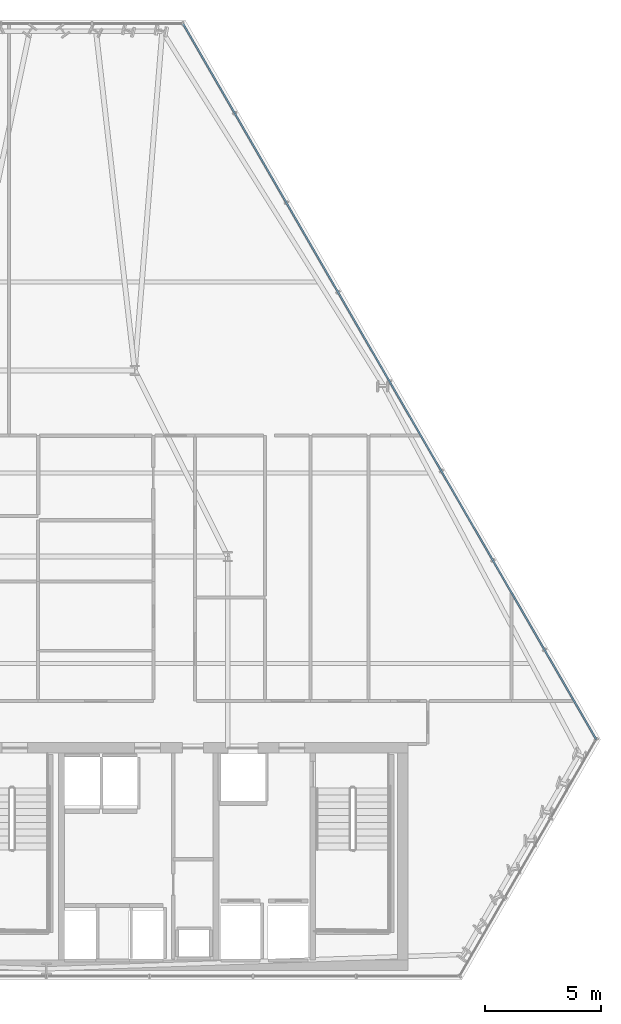
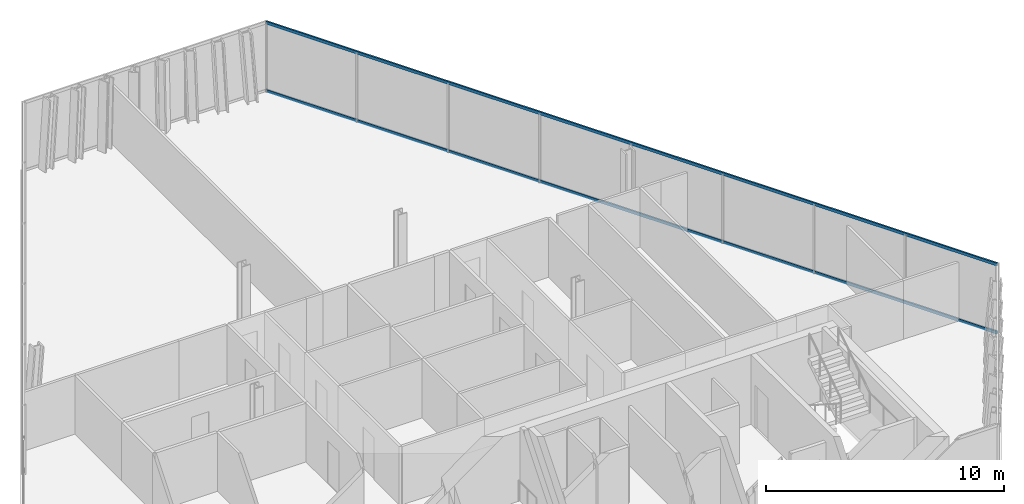
# One storey, part 18 of 31: 2 members, 1 element without a shape of its own.
"""IFC4 building model written with IfcOpenShell, lengths in metres."""

import ifcopenshell
import ifcopenshell.guid

model = None  # the IFC model being written
_history = None  # IfcOwnerHistory: only IFC2X3 demands one
_inside = {}  # id of a spatial element -> (the spatial element, [elements in it])
_under = {}  # id of a project, library or spatial element -> (it, [spatial elements below it])
_declared = {}  # id of a project -> (the project, [libraries it declares])
_typed = {}  # id of a type object -> (the type object, [elements of that type])
_made_of = {}  # id of a material, layer set ... -> (it, [elements and type objects made of it])


def new_model(schema):
    """Start an empty IFC model of exactly this schema.

    Asked for "IFC4X3", IfcOpenShell would pick the latest addendum, in which some entities
    have other attributes; the version numbers below select the first issue.
    IFC2X3 requires an IfcOwnerHistory on every rooted entity: one is made here for all.
    """
    global model, _history
    if schema == "IFC4X3":
        model = ifcopenshell.file(schema_version=(4, 3, 0, 0))
    else:
        model = ifcopenshell.file(schema=schema)
    _inside.clear()
    _under.clear()
    _declared.clear()
    _typed.clear()
    _made_of.clear()
    _history = None
    if model.schema == "IFC2X3":
        org = make("IfcOrganization", Name="unknown")
        user = make(
            "IfcPersonAndOrganization",
            ThePerson=make("IfcPerson", FamilyName="unknown"),
            TheOrganization=org,
        )
        app = make(
            "IfcApplication",
            ApplicationDeveloper=org,
            Version="unknown",
            ApplicationFullName="unknown",
            ApplicationIdentifier="unknown",
        )
        _history = make(
            "IfcOwnerHistory",
            OwningUser=user,
            OwningApplication=app,
            ChangeAction="ADDED",
            CreationDate=0,
        )
    return model


def make(cls, **values):
    """One entity of the class cls with the attributes given. An attribute that is None is left unset."""
    return model.create_entity(
        cls, **{name: value for name, value in values.items() if value is not None}
    )


def rooted(cls, **values):
    """An entity with a GlobalId (a new one), such as an element, a storey or a relation."""
    return make(cls, GlobalId=ifcopenshell.guid.new(), OwnerHistory=_history, **values)


def si_unit(unit_type, name, prefix=None):
    """IfcSIUnit, for example si_unit("LENGTHUNIT", "METRE", prefix="MILLI")."""
    return make("IfcSIUnit", UnitType=unit_type, Prefix=prefix, Name=name)


def assignment(units):
    """IfcUnitAssignment: the units of a project."""
    return None if units is None else make("IfcUnitAssignment", Units=units)


def point(xyz):
    """IfcCartesianPoint."""
    return None if xyz is None else make("IfcCartesianPoint", Coordinates=xyz)


def direction(xyz):
    """IfcDirection."""
    return None if xyz is None else make("IfcDirection", DirectionRatios=xyz)


def frame(location, z_axis=None, x_axis=None):
    """IfcAxis2Placement3D, a coordinate frame: its origin and axes. An axis left out is left unset."""
    return make(
        "IfcAxis2Placement3D",
        Location=point(location),
        Axis=direction(z_axis),
        RefDirection=direction(x_axis),
    )


def frame_2d(location, x_axis=None):
    """IfcAxis2Placement2D, a coordinate frame in the plane: its origin and x axis."""
    return make(
        "IfcAxis2Placement2D", Location=point(location), RefDirection=direction(x_axis)
    )


def origin():
    """The frame at (0, 0, 0) with its axes left unset."""
    return frame((0.0, 0.0, 0.0))


def origin_2d():
    """The frame at (0, 0) in the plane with its x axis left unset."""
    return frame_2d((0.0, 0.0))


def place(relative_to, where):
    """IfcLocalPlacement: puts the frame where relative to a parent placement (None: the world)."""
    return make(
        "IfcLocalPlacement", PlacementRelTo=relative_to, RelativePlacement=where
    )


def context(
    kind, dimensions, precision=None, world=None, true_north=None, identifier=None
):
    """IfcGeometricRepresentationContext, for example the 3D "Model" context."""
    return make(
        "IfcGeometricRepresentationContext",
        ContextIdentifier=identifier,
        ContextType=kind,
        CoordinateSpaceDimension=dimensions,
        Precision=precision,
        WorldCoordinateSystem=world,
        TrueNorth=true_north,
    )


def subcontext(parent, identifier, kind, view, scale=None):
    """IfcGeometricRepresentationSubContext, for example "Body" below "Model"."""
    return make(
        "IfcGeometricRepresentationSubContext",
        ContextIdentifier=identifier,
        ContextType=kind,
        ParentContext=parent,
        TargetScale=scale,
        TargetView=view,
    )


def project(units=None, contexts=None):
    """IfcProject with its units and contexts."""
    return rooted(
        "IfcProject",
        Name="project",
        RepresentationContexts=contexts,
        UnitsInContext=assignment(units),
    )


def spatial(cls, under=None, at=None, **own):
    """A site, building, storey or space (cls), placed at a placement, below another one or the project."""
    s = rooted(cls, ObjectPlacement=at, **own)
    if under is not None:
        _under.setdefault(under.id(), (under, []))[1].append(s)
    return s


def profile(cls, at=None, kind="AREA", **sizes):
    """A parametric profile (cls). Its sizes go by their IFC names, for example OverallWidth=200.0."""
    return make(cls, ProfileType=kind, Position=at, **sizes)


def hollow_rectangle(**sizes):
    """IfcRectangleHollowProfileDef."""
    return profile("IfcRectangleHollowProfileDef", **sizes)


def extrude(swept, where, along, depth):
    """IfcExtrudedAreaSolid: the profile swept, set in the frame where, extruded along a direction by depth."""
    return make(
        "IfcExtrudedAreaSolid",
        SweptArea=swept,
        Position=where,
        ExtrudedDirection=direction(along),
        Depth=depth,
    )


def shape(context_of_items, identifier, shape_type, items):
    """IfcShapeRepresentation: the items that make up one representation, for example the "Body"."""
    return make(
        "IfcShapeRepresentation",
        ContextOfItems=context_of_items,
        RepresentationIdentifier=identifier,
        RepresentationType=shape_type,
        Items=items,
    )


def material(Name=None, Category=None):
    """IfcMaterial."""
    return make("IfcMaterial", Name=Name, Category=Category)


def layer(
    of_material, thickness, ventilated=None, Name=None, Category=None, Priority=None
):
    """IfcMaterialLayer: one layer of a wall or slab, of a material (None: an air gap)."""
    return make(
        "IfcMaterialLayer",
        Material=of_material,
        LayerThickness=thickness,
        IsVentilated=ventilated,
        Name=Name,
        Category=Category,
        Priority=Priority,
    )


def layer_set(layers, Name=None):
    """IfcMaterialLayerSet."""
    return make("IfcMaterialLayerSet", MaterialLayers=layers, LayerSetName=Name)


def material_profile(
    of_material, cross_section, Name=None, Category=None, Priority=None
):
    """IfcMaterialProfile: a cross section and its material."""
    return make(
        "IfcMaterialProfile",
        Name=Name,
        Material=of_material,
        Profile=cross_section,
        Priority=Priority,
        Category=Category,
    )


def profile_set(profiles, Name=None, composite=None):
    """IfcMaterialProfileSet."""
    return make(
        "IfcMaterialProfileSet",
        Name=Name,
        MaterialProfiles=profiles,
        CompositeProfile=composite,
    )


def made_of(thing, what):
    """Note that an element or type object is made of a material, layer set ...; save() writes the relation."""
    if what is not None:
        _made_of.setdefault(what.id(), (what, []))[1].append(thing)
    return thing


def type_object(cls, material=None, **own):
    """A type object (cls), such as IfcWallType, which elements share."""
    return made_of(rooted(cls, **own), material)


def element(
    cls,
    number,
    at=None,
    inside=None,
    cuts=None,
    type_object=None,
    material=None,
    context=None,
    identifier="Body",
    shape_type=None,
    held_by="IfcProductDefinitionShape",
    body=None,
    shapes=None,
    **own,
):
    """One element of the class cls, such as IfcWall. Its Tag is "e" and its number.

    at: its placement. inside: the storey or other place that contains it. cuts: it is an
    opening in that element (IfcRelVoidsElement). A single representation is given by context,
    identifier, shape_type and body (its items); several are given by shapes. held_by: the class
    of the entity that holds the representations. save() writes the other relations.
    """
    e = rooted(cls, Tag="e%d" % number, ObjectPlacement=at, **own)
    if body is not None:
        shapes = [shape(context, identifier, shape_type, body)]
    if shapes is not None:
        e.Representation = make(held_by, Representations=shapes)
    if inside is not None:
        _inside.setdefault(inside.id(), (inside, []))[1].append(e)
    if cuts is not None:
        rooted(
            "IfcRelVoidsElement", RelatingBuildingElement=cuts, RelatedOpeningElement=e
        )
    if type_object is not None:
        _typed.setdefault(type_object.id(), (type_object, []))[1].append(e)
    return made_of(e, material)


def aggregate(whole, parts):
    """IfcRelAggregates: a whole, such as a stair, and the parts it consists of."""
    return rooted("IfcRelAggregates", RelatingObject=whole, RelatedObjects=parts)


def save(model, path):
    """Write the relations noted so far, then the file.

    IfcRelAggregates (storeys below a building ...), IfcRelContainedInSpatialStructure (elements
    in a storey), IfcRelDefinesByType, IfcRelAssociatesMaterial and IfcRelDeclares: one each for
    every whole, place, type object, material and project.
    """
    for whole, parts in _under.values():
        aggregate(whole, parts)
    for where, things in _inside.values():
        rooted(
            "IfcRelContainedInSpatialStructure",
            RelatedElements=things,
            RelatingStructure=where,
        )
    for kind, things in _typed.values():
        rooted("IfcRelDefinesByType", RelatedObjects=things, RelatingType=kind)
    for what, things in _made_of.values():
        rooted("IfcRelAssociatesMaterial", RelatedObjects=things, RelatingMaterial=what)
    for by, libraries in _declared.values():
        rooted("IfcRelDeclares", RelatingContext=by, RelatedDefinitions=libraries)
    model.write(path)


model = new_model("IFC4")

# Units and contexts
model_context = context("Model", 3, precision=1e-05, world=origin(), true_north=direction((0.0, 1.0)))
body_context = subcontext(model_context, "Body", "Model", "MODEL_VIEW")
ifc_project = project(units=[si_unit("LENGTHUNIT", "METRE"), si_unit("AREAUNIT", "SQUARE_METRE"), si_unit("VOLUMEUNIT", "CUBIC_METRE"), si_unit("PLANEANGLEUNIT", "RADIAN"), si_unit("MASSUNIT", "GRAM", prefix="KILO")], contexts=[model_context])

# Site, building, storey
site_placement = place(None, origin())
site = spatial("IfcSite", under=ifc_project, at=site_placement, CompositionType="ELEMENT")
building_placement = place(site_placement, origin())
building = spatial("IfcBuilding", under=site, at=building_placement, Name="Ndaravel Arena Tower", CompositionType="ELEMENT")
storey_placement = place(building_placement, frame((0.0, 0.0, 146.0)))
storey = spatial("IfcBuildingStorey", under=building, at=storey_placement, Name="L34", CompositionType="ELEMENT", Elevation=146.0)

# Curtain wall, members
ifc_material_1 = material(Name="Aluminium", Category="aluminium")
ifc_layer = layer(ifc_material_1, 0.179931640625)
ifc_layer_set = layer_set([ifc_layer], Name="Aluminium")
curtain_wall_type = type_object("IfcCurtainWallType", Name="CW-SYS-03", PredefinedType="NOTDEFINED", material=ifc_layer_set)
curtain_wall_placement = place(storey_placement, origin())
curtain_wall = element("IfcCurtainWall", 1, at=curtain_wall_placement, inside=storey, type_object=curtain_wall_type, Name="L34 Faceted Crystal Curtain Wall CW-L34-E03", PredefinedType="NOTDEFINED")
ifc_material_2 = material(Name="Aluminium", Category="aluminium")
ifc_material_profile = material_profile(ifc_material_2, hollow_rectangle(XDim=0.074951171875, YDim=0.14990234375, WallThickness=0.00390625, at=origin_2d()), Name="CW TRANSOM 75x150x4")
ifc_profile_set = profile_set([ifc_material_profile], Name="Aluminium")
member_type = type_object("IfcMemberType", Name="MEM-CW-TRN150", PredefinedType="USERDEFINED", material=ifc_profile_set)
member_1_placement = place(storey_placement, frame((65.639404296875, 15.34326171875, 0.0400390625), z_axis=(-0.499994154718, 0.866028778533, 0.0), x_axis=(-0.866028778533, -0.499994154718, 0.0)))
member_1 = element("IfcMember", 2, at=member_1_placement, type_object=member_type, Name="CW-L34-E03 Transom 01", ObjectType="TRANSOM", PredefinedType="USERDEFINED", context=body_context, shape_type="SweptSolid", body=[
    extrude(hollow_rectangle(XDim=0.074951171875, YDim=0.14990234375, WallThickness=0.00390625, at=origin_2d()), origin(), (0.0, 0.0, 1.0), 35.5205078125),
])
member_2_placement = place(storey_placement, frame((65.639404296875, 15.34326171875, 3.5400390625), z_axis=(-0.499994154718, 0.866028778533, 0.0), x_axis=(-0.866028778533, -0.499994154718, 0.0)))
member_2 = element("IfcMember", 3, at=member_2_placement, type_object=member_type, Name="CW-L34-E03 Transom 02", ObjectType="TRANSOM", PredefinedType="USERDEFINED", context=body_context, shape_type="SweptSolid", body=[
    extrude(hollow_rectangle(XDim=0.074951171875, YDim=0.14990234375, WallThickness=0.00390625, at=origin_2d()), origin(), (0.0, 0.0, 1.0), 35.5205078125),
])
aggregate(curtain_wall, [member_1, member_2])

save(model, "model.ifc")
